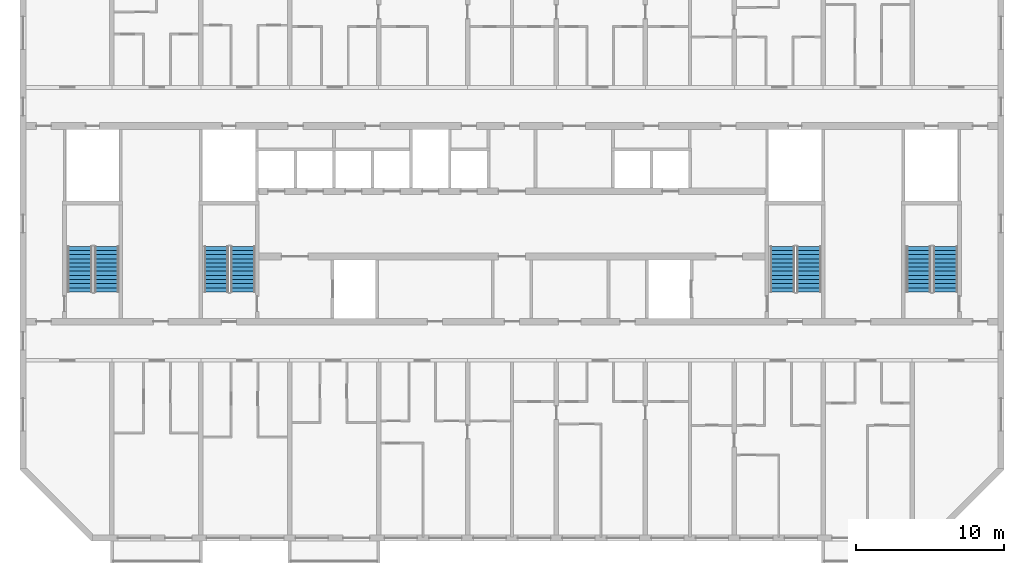
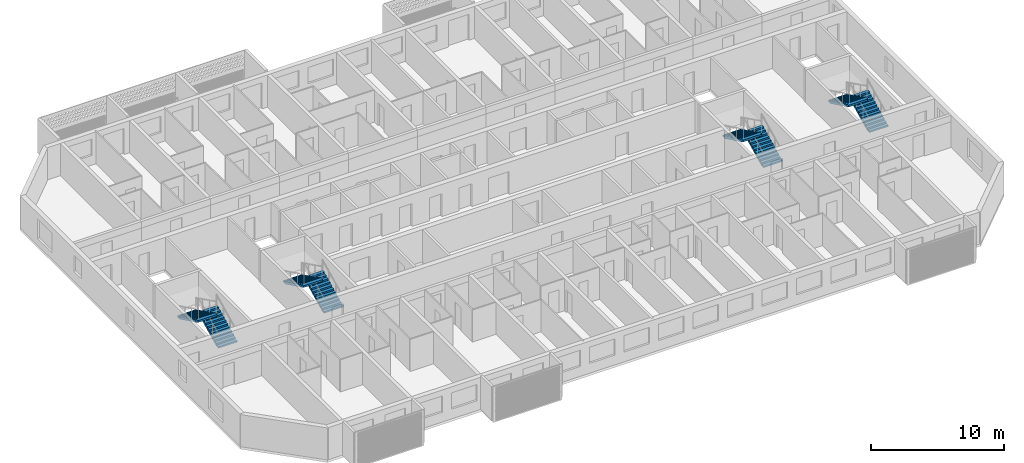
# One storey, part 12 of 26: 8 stair flights, 4 elements without a shape of their own.
"""IFC4 building model written with IfcOpenShell, lengths in metres."""

from ifc_helpers import new_model, si_unit, direction, frame, origin, place, context, subcontext, project, spatial, polyline, outline, extrude, material, layer, layer_set, type_object, element, aggregate, save


model = new_model("IFC4")

# Units and contexts
model_context = context("Model", 3, precision=1e-05, world=origin(), true_north=direction((0.0, 1.0)))
body_context = subcontext(model_context, "Body", "Model", "MODEL_VIEW")
ifc_project = project(units=[si_unit("LENGTHUNIT", "METRE"), si_unit("AREAUNIT", "SQUARE_METRE"), si_unit("VOLUMEUNIT", "CUBIC_METRE"), si_unit("PLANEANGLEUNIT", "RADIAN"), si_unit("MASSUNIT", "GRAM", prefix="KILO")], contexts=[model_context])

# Site, building, storey
site_placement = place(None, origin())
site = spatial("IfcSite", under=ifc_project, at=site_placement, CompositionType="ELEMENT")
building_placement = place(site_placement, origin())
building = spatial("IfcBuilding", under=site, at=building_placement, Name="Poui Terraces", CompositionType="ELEMENT")
storey_placement = place(building_placement, frame((0.0, 0.0, 162.0)))
storey = spatial("IfcBuildingStorey", under=building, at=storey_placement, Name="L45", CompositionType="ELEMENT", Elevation=162.0)

# Stair, stair flights
ifc_material = material(Name="Concrete 65 MPa", Category="concrete")
stair_type = type_object("IfcStairType", Name="EXIT STAIR 1650 65 MPA", PredefinedType="HALF_TURN_STAIR", material=ifc_material)
stair_1_placement = place(storey_placement, origin())
stair_1 = element("IfcStair", 1, at=stair_1_placement, inside=storey, type_object=stair_type, Name="L45 CORE STAIR EAST", PredefinedType="HALF_TURN_STAIR")
ifc_layer = layer(ifc_material, 0.14990234375)
ifc_layer_set = layer_set([ifc_layer], Name="Concrete 65 MPa")
stair_flight_type = type_object("IfcStairFlightType", Name="STAIR FLIGHT 12 RISERS 138 RISE 65 MPA", PredefinedType="STRAIGHT", material=ifc_layer_set)
stair_flight_1_placement = place(storey_placement, frame((71.050048828125, 16.60009765625, 0.0), z_axis=(0.0, 0.0, 1.0), x_axis=(0.0, 1.0, 0.0)))
stair_flight_1 = element("IfcStairFlight", 2, at=stair_flight_1_placement, type_object=stair_flight_type, Name="ST-CE flight 1", NumberOfRisers=12, NumberOfTreads=11, PredefinedType="STRAIGHT", RiserHeight=0.1375, TreadLength=0.28, context=body_context, shape_type="SweptSolid", body=[
    extrude(outline(polyline([(0.0, 0.0), (0.0, 0.137451171875), (0.280029296875, 0.137451171875), (0.280029296875, 0.27490234375), (0.56005859375, 0.27490234375), (0.56005859375, 0.41259765625), (0.840087890625, 0.41259765625), (0.840087890625, 0.550048828125), (1.1201171875, 0.550048828125), (1.1201171875, 0.6875), (1.39990234375, 0.6875), (1.39990234375, 0.824951171875), (1.679931640625, 0.824951171875), (1.679931640625, 0.96240234375), (1.9599609375, 0.96240234375), (1.9599609375, 1.10009765625), (2.239990234375, 1.10009765625), (2.239990234375, 1.237548828125), (2.52001953125, 1.237548828125), (2.52001953125, 1.375), (2.800048828125, 1.375), (2.800048828125, 1.512451171875), (3.080078125, 1.512451171875), (3.080078125, 1.64990234375), (3.080078125, 1.345458984375), (0.340087890625, 0.0), (0.0, 0.0)])), frame((0.0, 0.824951171875, 0.0), z_axis=(0.0, -1.0, 0.0), x_axis=(1.0, 0.0, 0.0)), (0.0, 0.0, 1.0), 1.64990234375),
])
stair_flight_2_placement = place(storey_placement, frame((69.25, 19.679931640625, 1.64990234375), z_axis=(0.0, 0.0, 1.0), x_axis=(0.0, -1.0, 0.0)))
stair_flight_2 = element("IfcStairFlight", 3, at=stair_flight_2_placement, type_object=stair_flight_type, Name="ST-CE flight 2", NumberOfRisers=12, NumberOfTreads=11, PredefinedType="STRAIGHT", RiserHeight=0.1375, TreadLength=0.28, context=body_context, shape_type="SweptSolid", body=[
    extrude(outline(polyline([(0.0, 0.0), (0.0, 0.137451171875), (0.280029296875, 0.137451171875), (0.280029296875, 0.27490234375), (0.56005859375, 0.27490234375), (0.56005859375, 0.41259765625), (0.840087890625, 0.41259765625), (0.840087890625, 0.550048828125), (1.1201171875, 0.550048828125), (1.1201171875, 0.6875), (1.39990234375, 0.6875), (1.39990234375, 0.824951171875), (1.679931640625, 0.824951171875), (1.679931640625, 0.96240234375), (1.9599609375, 0.96240234375), (1.9599609375, 1.10009765625), (2.239990234375, 1.10009765625), (2.239990234375, 1.237548828125), (2.52001953125, 1.237548828125), (2.52001953125, 1.375), (2.800048828125, 1.375), (2.800048828125, 1.512451171875), (3.080078125, 1.512451171875), (3.080078125, 1.64990234375), (3.080078125, 1.345458984375), (0.340087890625, 0.0), (0.0, 0.0)])), frame((0.0, 0.824951171875, 0.0), z_axis=(0.0, -1.0, 0.0), x_axis=(1.0, 0.0, 0.0)), (0.0, 0.0, 1.0), 1.64990234375),
])
aggregate(stair_1, [stair_flight_1, stair_flight_2])

stair_2_placement = place(storey_placement, origin())
stair_2 = element("IfcStair", 4, at=stair_2_placement, inside=storey, type_object=stair_type, Name="L45 CORE STAIR WEST", PredefinedType="HALF_TURN_STAIR")
stair_flight_3_placement = place(storey_placement, frame((32.85009765625, 16.60009765625, 0.0), z_axis=(0.0, 0.0, 1.0), x_axis=(0.0, 1.0, 0.0)))
stair_flight_3 = element("IfcStairFlight", 5, at=stair_flight_3_placement, type_object=stair_flight_type, Name="ST-CW flight 1", NumberOfRisers=12, NumberOfTreads=11, PredefinedType="STRAIGHT", RiserHeight=0.1375, TreadLength=0.28, context=body_context, shape_type="SweptSolid", body=[
    extrude(outline(polyline([(0.0, 0.0), (0.0, 0.137451171875), (0.280029296875, 0.137451171875), (0.280029296875, 0.27490234375), (0.56005859375, 0.27490234375), (0.56005859375, 0.41259765625), (0.840087890625, 0.41259765625), (0.840087890625, 0.550048828125), (1.1201171875, 0.550048828125), (1.1201171875, 0.6875), (1.39990234375, 0.6875), (1.39990234375, 0.824951171875), (1.679931640625, 0.824951171875), (1.679931640625, 0.96240234375), (1.9599609375, 0.96240234375), (1.9599609375, 1.10009765625), (2.239990234375, 1.10009765625), (2.239990234375, 1.237548828125), (2.52001953125, 1.237548828125), (2.52001953125, 1.375), (2.800048828125, 1.375), (2.800048828125, 1.512451171875), (3.080078125, 1.512451171875), (3.080078125, 1.64990234375), (3.080078125, 1.345458984375), (0.340087890625, 0.0), (0.0, 0.0)])), frame((0.0, 0.824951171875, 0.0), z_axis=(0.0, -1.0, 0.0), x_axis=(1.0, 0.0, 0.0)), (0.0, 0.0, 1.0), 1.64990234375),
])
stair_flight_4_placement = place(storey_placement, frame((31.050048828125, 19.679931640625, 1.64990234375), z_axis=(0.0, 0.0, 1.0), x_axis=(0.0, -1.0, 0.0)))
stair_flight_4 = element("IfcStairFlight", 6, at=stair_flight_4_placement, type_object=stair_flight_type, Name="ST-CW flight 2", NumberOfRisers=12, NumberOfTreads=11, PredefinedType="STRAIGHT", RiserHeight=0.1375, TreadLength=0.28, context=body_context, shape_type="SweptSolid", body=[
    extrude(outline(polyline([(0.0, 0.0), (0.0, 0.137451171875), (0.280029296875, 0.137451171875), (0.280029296875, 0.27490234375), (0.56005859375, 0.27490234375), (0.56005859375, 0.41259765625), (0.840087890625, 0.41259765625), (0.840087890625, 0.550048828125), (1.1201171875, 0.550048828125), (1.1201171875, 0.6875), (1.39990234375, 0.6875), (1.39990234375, 0.824951171875), (1.679931640625, 0.824951171875), (1.679931640625, 0.96240234375), (1.9599609375, 0.96240234375), (1.9599609375, 1.10009765625), (2.239990234375, 1.10009765625), (2.239990234375, 1.237548828125), (2.52001953125, 1.237548828125), (2.52001953125, 1.375), (2.800048828125, 1.375), (2.800048828125, 1.512451171875), (3.080078125, 1.512451171875), (3.080078125, 1.64990234375), (3.080078125, 1.345458984375), (0.340087890625, 0.0), (0.0, 0.0)])), frame((0.0, 0.824951171875, 0.0), z_axis=(0.0, -1.0, 0.0), x_axis=(1.0, 0.0, 0.0)), (0.0, 0.0, 1.0), 1.64990234375),
])
aggregate(stair_2, [stair_flight_3, stair_flight_4])

stair_3_placement = place(storey_placement, origin())
stair_3 = element("IfcStair", 7, at=stair_3_placement, inside=storey, type_object=stair_type, Name="L45 TIP STAIR EAST", PredefinedType="HALF_TURN_STAIR")
stair_flight_5_placement = place(storey_placement, frame((80.25, 16.60009765625, 0.0), z_axis=(0.0, 0.0, 1.0), x_axis=(0.0, 1.0, 0.0)))
stair_flight_5 = element("IfcStairFlight", 8, at=stair_flight_5_placement, type_object=stair_flight_type, Name="ST-E flight 1", NumberOfRisers=12, NumberOfTreads=11, PredefinedType="STRAIGHT", RiserHeight=0.1375, TreadLength=0.28, context=body_context, shape_type="SweptSolid", body=[
    extrude(outline(polyline([(0.0, 0.0), (0.0, 0.137451171875), (0.280029296875, 0.137451171875), (0.280029296875, 0.27490234375), (0.56005859375, 0.27490234375), (0.56005859375, 0.41259765625), (0.840087890625, 0.41259765625), (0.840087890625, 0.550048828125), (1.1201171875, 0.550048828125), (1.1201171875, 0.6875), (1.39990234375, 0.6875), (1.39990234375, 0.824951171875), (1.679931640625, 0.824951171875), (1.679931640625, 0.96240234375), (1.9599609375, 0.96240234375), (1.9599609375, 1.10009765625), (2.239990234375, 1.10009765625), (2.239990234375, 1.237548828125), (2.52001953125, 1.237548828125), (2.52001953125, 1.375), (2.800048828125, 1.375), (2.800048828125, 1.512451171875), (3.080078125, 1.512451171875), (3.080078125, 1.64990234375), (3.080078125, 1.345458984375), (0.340087890625, 0.0), (0.0, 0.0)])), frame((0.0, 0.824951171875, 0.0), z_axis=(0.0, -1.0, 0.0), x_axis=(1.0, 0.0, 0.0)), (0.0, 0.0, 1.0), 1.64990234375),
])
stair_flight_6_placement = place(storey_placement, frame((78.449951171875, 19.679931640625, 1.64990234375), z_axis=(0.0, 0.0, 1.0), x_axis=(0.0, -1.0, 0.0)))
stair_flight_6 = element("IfcStairFlight", 9, at=stair_flight_6_placement, type_object=stair_flight_type, Name="ST-E flight 2", NumberOfRisers=12, NumberOfTreads=11, PredefinedType="STRAIGHT", RiserHeight=0.1375, TreadLength=0.28, context=body_context, shape_type="SweptSolid", body=[
    extrude(outline(polyline([(0.0, 0.0), (0.0, 0.137451171875), (0.280029296875, 0.137451171875), (0.280029296875, 0.27490234375), (0.56005859375, 0.27490234375), (0.56005859375, 0.41259765625), (0.840087890625, 0.41259765625), (0.840087890625, 0.550048828125), (1.1201171875, 0.550048828125), (1.1201171875, 0.6875), (1.39990234375, 0.6875), (1.39990234375, 0.824951171875), (1.679931640625, 0.824951171875), (1.679931640625, 0.96240234375), (1.9599609375, 0.96240234375), (1.9599609375, 1.10009765625), (2.239990234375, 1.10009765625), (2.239990234375, 1.237548828125), (2.52001953125, 1.237548828125), (2.52001953125, 1.375), (2.800048828125, 1.375), (2.800048828125, 1.512451171875), (3.080078125, 1.512451171875), (3.080078125, 1.64990234375), (3.080078125, 1.345458984375), (0.340087890625, 0.0), (0.0, 0.0)])), frame((0.0, 0.824951171875, 0.0), z_axis=(0.0, -1.0, 0.0), x_axis=(1.0, 0.0, 0.0)), (0.0, 0.0, 1.0), 1.64990234375),
])
aggregate(stair_3, [stair_flight_5, stair_flight_6])

stair_4_placement = place(storey_placement, origin())
stair_4 = element("IfcStair", 10, at=stair_4_placement, inside=storey, type_object=stair_type, Name="L45 TIP STAIR WEST", PredefinedType="HALF_TURN_STAIR")
stair_flight_7_placement = place(storey_placement, frame((23.64990234375, 16.60009765625, 0.0), z_axis=(0.0, 0.0, 1.0), x_axis=(0.0, 1.0, 0.0)))
stair_flight_7 = element("IfcStairFlight", 11, at=stair_flight_7_placement, type_object=stair_flight_type, Name="ST-W flight 1", NumberOfRisers=12, NumberOfTreads=11, PredefinedType="STRAIGHT", RiserHeight=0.1375, TreadLength=0.28, context=body_context, shape_type="SweptSolid", body=[
    extrude(outline(polyline([(0.0, 0.0), (0.0, 0.137451171875), (0.280029296875, 0.137451171875), (0.280029296875, 0.27490234375), (0.56005859375, 0.27490234375), (0.56005859375, 0.41259765625), (0.840087890625, 0.41259765625), (0.840087890625, 0.550048828125), (1.1201171875, 0.550048828125), (1.1201171875, 0.6875), (1.39990234375, 0.6875), (1.39990234375, 0.824951171875), (1.679931640625, 0.824951171875), (1.679931640625, 0.96240234375), (1.9599609375, 0.96240234375), (1.9599609375, 1.10009765625), (2.239990234375, 1.10009765625), (2.239990234375, 1.237548828125), (2.52001953125, 1.237548828125), (2.52001953125, 1.375), (2.800048828125, 1.375), (2.800048828125, 1.512451171875), (3.080078125, 1.512451171875), (3.080078125, 1.64990234375), (3.080078125, 1.345458984375), (0.340087890625, 0.0), (0.0, 0.0)])), frame((0.0, 0.824951171875, 0.0), z_axis=(0.0, -1.0, 0.0), x_axis=(1.0, 0.0, 0.0)), (0.0, 0.0, 1.0), 1.64990234375),
])
stair_flight_8_placement = place(storey_placement, frame((21.85009765625, 19.679931640625, 1.64990234375), z_axis=(0.0, 0.0, 1.0), x_axis=(0.0, -1.0, 0.0)))
stair_flight_8 = element("IfcStairFlight", 12, at=stair_flight_8_placement, type_object=stair_flight_type, Name="ST-W flight 2", NumberOfRisers=12, NumberOfTreads=11, PredefinedType="STRAIGHT", RiserHeight=0.1375, TreadLength=0.28, context=body_context, shape_type="SweptSolid", body=[
    extrude(outline(polyline([(0.0, 0.0), (0.0, 0.137451171875), (0.280029296875, 0.137451171875), (0.280029296875, 0.27490234375), (0.56005859375, 0.27490234375), (0.56005859375, 0.41259765625), (0.840087890625, 0.41259765625), (0.840087890625, 0.550048828125), (1.1201171875, 0.550048828125), (1.1201171875, 0.6875), (1.39990234375, 0.6875), (1.39990234375, 0.824951171875), (1.679931640625, 0.824951171875), (1.679931640625, 0.96240234375), (1.9599609375, 0.96240234375), (1.9599609375, 1.10009765625), (2.239990234375, 1.10009765625), (2.239990234375, 1.237548828125), (2.52001953125, 1.237548828125), (2.52001953125, 1.375), (2.800048828125, 1.375), (2.800048828125, 1.512451171875), (3.080078125, 1.512451171875), (3.080078125, 1.64990234375), (3.080078125, 1.345458984375), (0.340087890625, 0.0), (0.0, 0.0)])), frame((0.0, 0.824951171875, 0.0), z_axis=(0.0, -1.0, 0.0), x_axis=(1.0, 0.0, 0.0)), (0.0, 0.0, 1.0), 1.64990234375),
])
aggregate(stair_4, [stair_flight_7, stair_flight_8])

save(model, "model.ifc")
